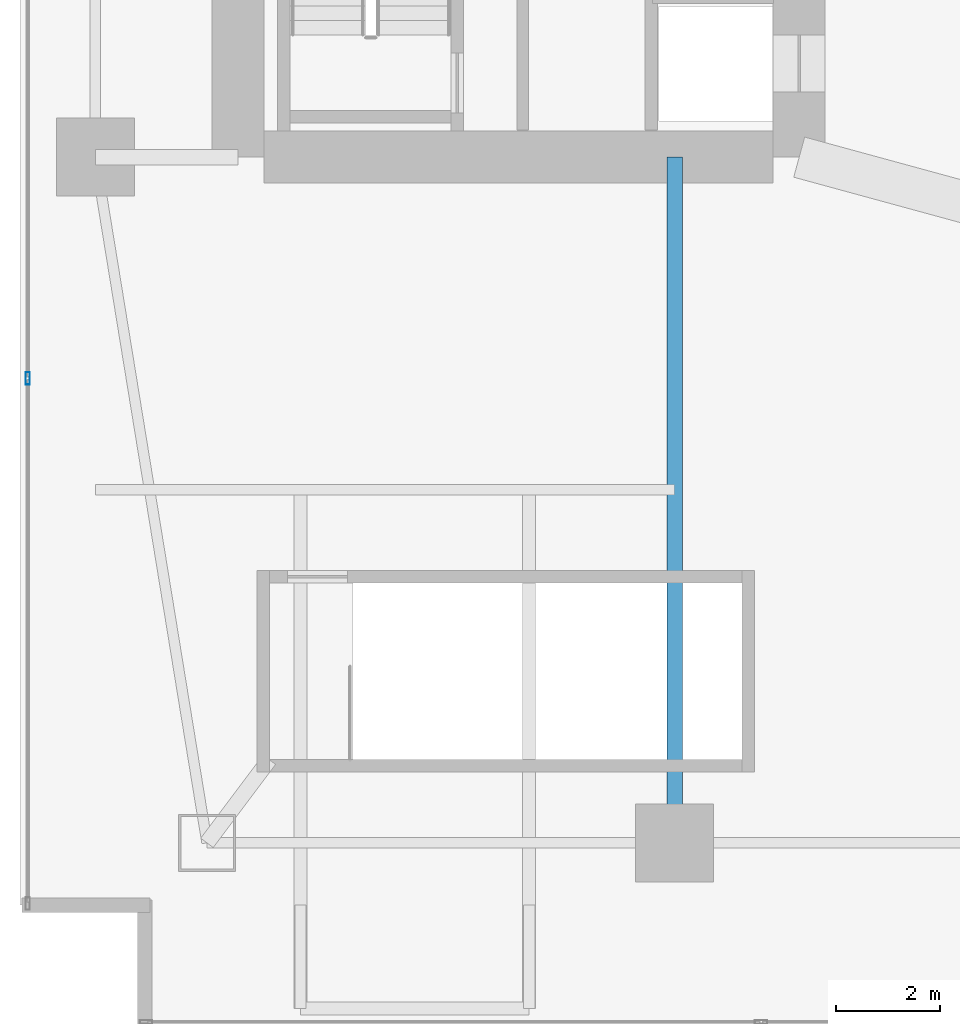
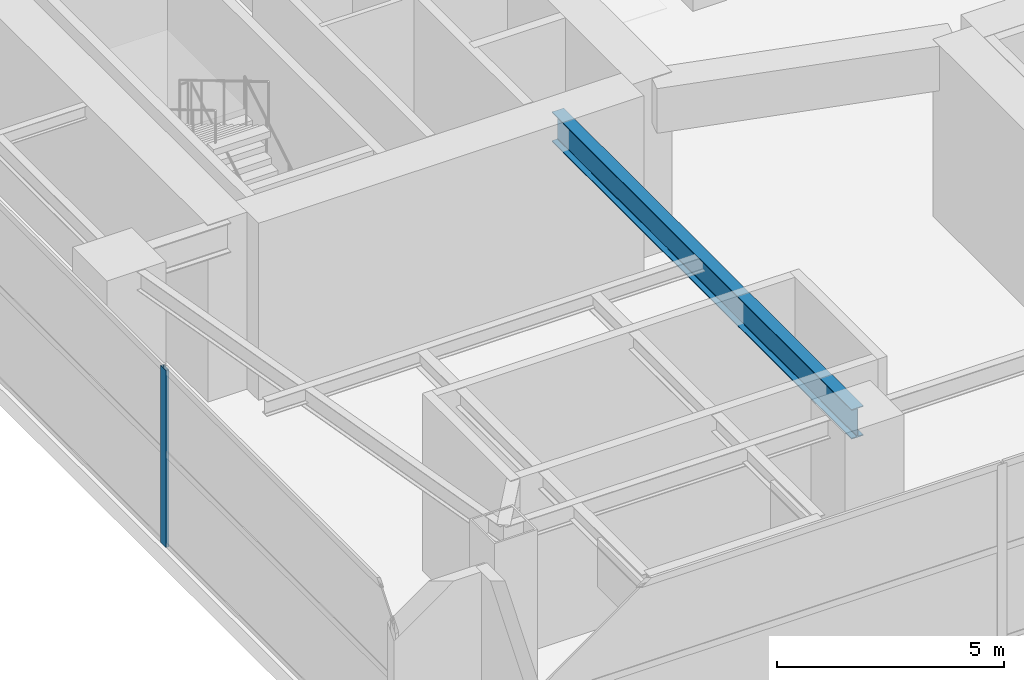
# One storey, part 6 of 36: 1 beam, 1 member, 1 element without a shape of its own.
"""IFC4 building model written with IfcOpenShell, lengths in metres."""

from ifc_helpers import new_model, si_unit, direction, frame, origin, origin_2d, place, context, subcontext, project, spatial, hollow_rectangle, i_section, extrude, material, layer, layer_set, material_profile, profile_set, type_object, element, aggregate, save


model = new_model("IFC4")

# Units and contexts
model_context = context("Model", 3, precision=1e-05, world=origin(), true_north=direction((0.0, 1.0)))
body_context = subcontext(model_context, "Body", "Model", "MODEL_VIEW")
ifc_project = project(units=[si_unit("LENGTHUNIT", "METRE"), si_unit("AREAUNIT", "SQUARE_METRE"), si_unit("VOLUMEUNIT", "CUBIC_METRE"), si_unit("PLANEANGLEUNIT", "RADIAN"), si_unit("MASSUNIT", "GRAM", prefix="KILO")], contexts=[model_context])

# Site, building, storey
site_placement = place(None, origin())
site = spatial("IfcSite", under=ifc_project, at=site_placement, CompositionType="ELEMENT")
building_placement = place(site_placement, origin())
building = spatial("IfcBuilding", under=site, at=building_placement, Name="Calvorn Quay Hotel", CompositionType="ELEMENT")
storey_placement = place(building_placement, frame((0.0, 0.0, 22.0)))
storey = spatial("IfcBuildingStorey", under=building, at=storey_placement, Name="L04", CompositionType="ELEMENT", Elevation=22.0)

# Beam
ifc_material_1 = material(Name="Steel Q390GJC", Category="steel")
ifc_material_profile_1 = material_profile(ifc_material_1, i_section(OverallWidth=0.300048828125, OverallDepth=0.800048828125, WebThickness=0.013916015625, FlangeThickness=0.02587890625, FilletRadius=0.02392578125, at=origin_2d()), Name="HN800x300x14x26")
ifc_profile_set_1 = profile_set([ifc_material_profile_1], Name="Steel Q390GJC")
beam_type = type_object("IfcBeamType", Name="BM-GIRD-POD", PredefinedType="BEAM", material=ifc_profile_set_1)
beam_placement = place(storey_placement, frame((12.60009765625, 3.60009765625, 4.340087890625), z_axis=(0.0, 1.0, 0.0), x_axis=(-1.0, 0.0, 0.0)))
element("IfcBeam", 1, at=beam_placement, inside=storey, type_object=beam_type, Name="Beam BG-L04-S1", PredefinedType="BEAM", context=body_context, shape_type="SweptSolid", body=[
    extrude(i_section(OverallWidth=0.300048828125, OverallDepth=0.800048828125, WebThickness=0.013916015625, FlangeThickness=0.02587890625, FilletRadius=0.02392578125, at=origin_2d()), origin(), (0.0, 0.0, 1.0), 13.199951171875),
])

# Curtain wall, member
ifc_material_2 = material(Name="Pale Anodised Aluminium and Low-E Glass", Category="aluminium")
ifc_layer = layer(ifc_material_2, 0.219970703125)
ifc_layer_set = layer_set([ifc_layer], Name="CW-SYS-POD")
curtain_wall_type = type_object("IfcCurtainWallType", Name="CW-SYS-POD", PredefinedType="NOTDEFINED", material=ifc_layer_set)
curtain_wall_placement = place(storey_placement, origin())
curtain_wall = element("IfcCurtainWall", 2, at=curtain_wall_placement, inside=storey, type_object=curtain_wall_type, Name="Podium Curtain Wall L04-W1", PredefinedType="NOTDEFINED")
ifc_material_3 = material(Name="Pale Anodised Aluminium 6063-T6", Category="aluminium")
ifc_material_profile_2 = material_profile(ifc_material_3, hollow_rectangle(XDim=0.080078125, YDim=0.239990234375, WallThickness=0.0048828125, at=origin_2d()), Name="ALU-M240x80x5")
ifc_profile_set_2 = profile_set([ifc_material_profile_2], Name="Pale Anodised Aluminium 6063-T6")
member_type = type_object("IfcMemberType", Name="CW-SYS-POD-MUL", PredefinedType="MULLION", material=ifc_profile_set_2)
member_placement = place(storey_placement, frame((0.14990234375, 12.5400390625, 0.0), z_axis=(0.0, 0.0, 1.0), x_axis=(-1.0, 0.0, 0.0)))
member = element("IfcMember", 3, at=member_placement, type_object=member_type, Name="CW-L04-W1 mullion 2", PredefinedType="MULLION", context=body_context, shape_type="SweptSolid", body=[
    extrude(hollow_rectangle(XDim=0.080078125, YDim=0.239990234375, WallThickness=0.0048828125, at=origin_2d()), origin(), (0.0, 0.0, 1.0), 4.760009765625),
])
aggregate(curtain_wall, [member])

save(model, "model.ifc")
